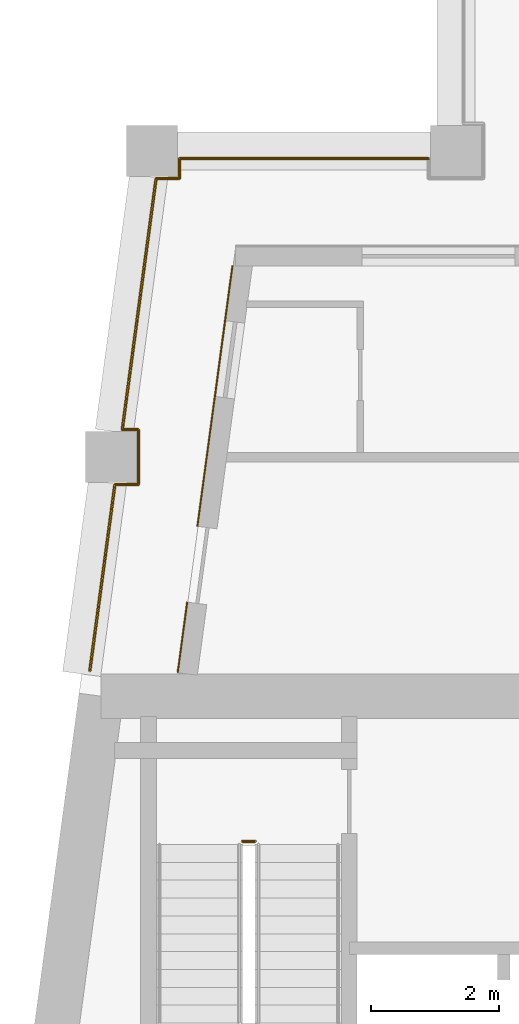
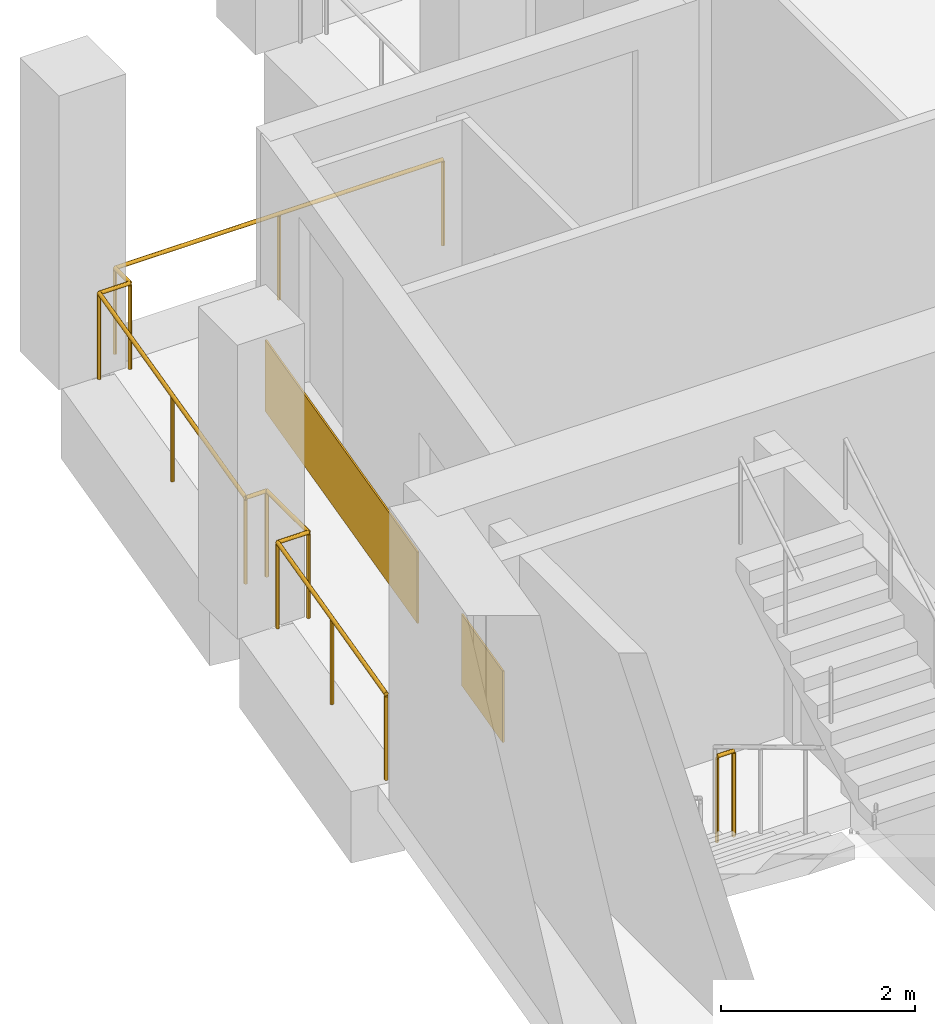
# One storey, part 10 of 13: 2 coverings, 2 railings.
"""IFC4 building model written with IfcOpenShell, lengths in metres."""

from ifc_helpers import new_model, si_unit, direction, frame, origin, origin_2d, place, context, subcontext, project, spatial, rectangle, circle, extrude, material, layer, layer_set, type_object, element, save


model = new_model("IFC4")

# Units and contexts
model_context = context("Model", 3, precision=1e-05, world=origin(), true_north=direction((0.0, 1.0)))
body_context = subcontext(model_context, "Body", "Model", "MODEL_VIEW")
ifc_project = project(units=[si_unit("LENGTHUNIT", "METRE"), si_unit("AREAUNIT", "SQUARE_METRE"), si_unit("VOLUMEUNIT", "CUBIC_METRE"), si_unit("PLANEANGLEUNIT", "RADIAN"), si_unit("MASSUNIT", "GRAM", prefix="KILO")], contexts=[model_context])

# Site, building, storey
site_placement = place(None, origin())
site = spatial("IfcSite", under=ifc_project, at=site_placement, CompositionType="ELEMENT")
building_placement = place(site_placement, origin())
building = spatial("IfcBuilding", under=site, at=building_placement, Name="Candeia Pilgrim Tower and Theatre", CompositionType="ELEMENT")
storey_placement = place(building_placement, frame((0.0, 0.0, 277.5)))
storey = spatial("IfcBuildingStorey", under=building, at=storey_placement, Name="L67", CompositionType="ELEMENT", Elevation=277.5)

# Railing
ifc_material_1 = material(Name="Stainless steel balustrade", Category="steel")
railing_type_1 = type_object("IfcRailingType", Name="G1 loggia guard 1100", PredefinedType="GUARDRAIL", material=ifc_material_1)
railing_1_placement = place(storey_placement, frame((88.758544921875, 132.449951171875, 0.0)))
element("IfcRailing", 1, at=railing_1_placement, inside=storey, type_object=railing_type_1, Name="Guard L67.4", PredefinedType="GUARDRAIL", context=body_context, shape_type="SweptSolid", body=[
    extrude(circle(Radius=0.02392578125, at=origin_2d()), frame((0.0, 0.0, 1.076171875), z_axis=(0.133401056725, 0.991062136329, 0.0), x_axis=(-0.991062136329, 0.133401056725, 0.0)), (0.0, 0.0, 1.0), 2.946533203125),
    extrude(circle(Radius=0.02392578125, at=origin_2d()), frame((0.39306640625, 2.920166015625, 1.076171875), z_axis=(1.0, 0.0, 0.0), x_axis=(0.0, 1.0, 0.0)), (0.0, 0.0, 1.0), 0.366943359375),
    extrude(circle(Radius=0.02392578125, at=origin_2d()), frame((0.760009765625, 2.920166015625, 1.076171875), z_axis=(0.0, 1.0, 0.0), x_axis=(-1.0, 0.0, 0.0)), (0.0, 0.0, 1.0), 0.85986328125),
    extrude(circle(Radius=0.02392578125, at=origin_2d()), frame((0.760009765625, 3.780029296875, 1.076171875), z_axis=(-1.0, 0.0, 0.0), x_axis=(0.0, -1.0, 0.0)), (0.0, 0.0, 1.0), 0.251220703125),
    extrude(circle(Radius=0.02392578125, at=origin_2d()), frame((0.5087890625, 3.780029296875, 1.076171875), z_axis=(0.133446811067, 0.99105597653, 0.0), x_axis=(-0.99105597653, 0.133446811067, 0.0)), (0.0, 0.0, 1.0), 3.9755859375),
    extrude(circle(Radius=0.02392578125, at=origin_2d()), frame((1.039306640625, 7.719970703125, 1.076171875), z_axis=(1.0, 0.0, 0.0), x_axis=(0.0, 1.0, 0.0)), (0.0, 0.0, 1.0), 0.36669921875),
    extrude(circle(Radius=0.02392578125, at=origin_2d()), frame((1.406005859375, 7.719970703125, 1.076171875), z_axis=(0.0, 1.0, 0.0), x_axis=(-1.0, 0.0, 0.0)), (0.0, 0.0, 1.0), 0.31005859375),
    extrude(circle(Radius=0.02392578125, at=origin_2d()), frame((1.406005859375, 8.030029296875, 1.076171875), z_axis=(1.0, 0.0, 0.0), x_axis=(0.0, 1.0, 0.0)), (0.0, 0.0, 1.0), 3.905517578125),
    extrude(circle(Radius=0.02099609375, at=origin_2d()), origin(), (0.0, 0.0, 1.0), 1.052001953125),
    extrude(circle(Radius=0.02099609375, at=origin_2d()), frame((0.196533203125, 1.4599609375, 0.0)), (0.0, 0.0, 1.0), 1.052001953125),
    extrude(circle(Radius=0.02099609375, at=origin_2d()), frame((0.39306640625, 2.920166015625, 0.0)), (0.0, 0.0, 1.0), 1.052001953125),
    extrude(circle(Radius=0.02099609375, at=origin_2d()), frame((0.760009765625, 2.920166015625, 0.0)), (0.0, 0.0, 1.0), 1.052001953125),
    extrude(circle(Radius=0.02099609375, at=origin_2d()), frame((0.760009765625, 3.780029296875, 0.0)), (0.0, 0.0, 1.0), 1.052001953125),
    extrude(circle(Radius=0.02099609375, at=origin_2d()), frame((0.5087890625, 3.780029296875, 0.0)), (0.0, 0.0, 1.0), 1.052001953125),
    extrude(circle(Radius=0.02099609375, at=origin_2d()), frame((0.77392578125, 5.75, 0.0)), (0.0, 0.0, 1.0), 1.052001953125),
    extrude(circle(Radius=0.02099609375, at=origin_2d()), frame((1.039306640625, 7.719970703125, 0.0)), (0.0, 0.0, 1.0), 1.052001953125),
    extrude(circle(Radius=0.02099609375, at=origin_2d()), frame((1.406005859375, 7.719970703125, 0.0)), (0.0, 0.0, 1.0), 1.052001953125),
    extrude(circle(Radius=0.02099609375, at=origin_2d()), frame((1.406005859375, 8.030029296875, 0.0)), (0.0, 0.0, 1.0), 1.052001953125),
    extrude(circle(Radius=0.02099609375, at=origin_2d()), frame((3.35888671875, 8.030029296875, 0.0)), (0.0, 0.0, 1.0), 1.052001953125),
    extrude(circle(Radius=0.02099609375, at=origin_2d()), frame((5.3115234375, 8.030029296875, 0.0)), (0.0, 0.0, 1.0), 1.052001953125),
])

# Coverings
ifc_material_2 = material(Name="Glazed ceramic tile rust")
ifc_layer = layer(ifc_material_2, 0.02001953125)
ifc_layer_set = layer_set([ifc_layer], Name="Glazed ceramic tile rust")
covering_type = type_object("IfcCoveringType", Name="Glazed ceramic tile rust", PredefinedType="CLADDING", material=ifc_layer_set)
covering_1_placement = place(storey_placement, frame((90.720947265625, 136.759521484375, 0.0), z_axis=(0.0, 0.0, 1.0), x_axis=(-0.133412012145, -0.991060661622, 0.0)))
element("IfcCovering", 2, at=covering_1_placement, inside=storey, type_object=covering_type, Name="Tile cladding rust L67", PredefinedType="CLADDING", context=body_context, shape_type="SweptSolid", body=[
    extrude(rectangle(XDim=4.123779296875, YDim=0.02001953125, at=origin_2d()), origin(), (0.0, 0.0, 1.0), 0.89990234375),
])
covering_2_placement = place(storey_placement, frame((90.21142578125, 132.97412109375, 0.0), z_axis=(0.0, 0.0, 1.0), x_axis=(-0.133412012145, -0.991060661622, 0.0)))
element("IfcCovering", 3, at=covering_2_placement, inside=storey, type_object=covering_type, Name="Tile cladding rust L67", PredefinedType="CLADDING", context=body_context, shape_type="SweptSolid", body=[
    extrude(rectangle(XDim=1.115234375, YDim=0.02001953125, at=origin_2d()), origin(), (0.0, 0.0, 1.0), 0.89990234375),
])

# Railing
railing_type_2 = type_object("IfcRailingType", Name="RL-GUARD-1100", PredefinedType="GUARDRAIL", material=ifc_material_1)
railing_2_placement = place(storey_placement, frame((91.152099609375, 129.77490234375, 0.0)))
element("IfcRailing", 4, at=railing_2_placement, inside=storey, type_object=railing_type_2, Name="L67 ST2 stair guard 2", PredefinedType="GUARDRAIL", context=body_context, shape_type="SweptSolid", body=[
    extrude(circle(Radius=0.02392578125, at=origin_2d()), frame((0.0, 0.0, 1.076171875), z_axis=(1.0, 0.0, 0.0), x_axis=(0.0, 1.0, 0.0)), (0.0, 0.0, 1.0), 0.199951171875),
    extrude(circle(Radius=0.02099609375, at=origin_2d()), origin(), (0.0, 0.0, 1.0), 1.052001953125),
    extrude(circle(Radius=0.02099609375, at=origin_2d()), frame((0.199951171875, 0.0, 0.0)), (0.0, 0.0, 1.0), 1.052001953125),
])

save(model, "model.ifc")
